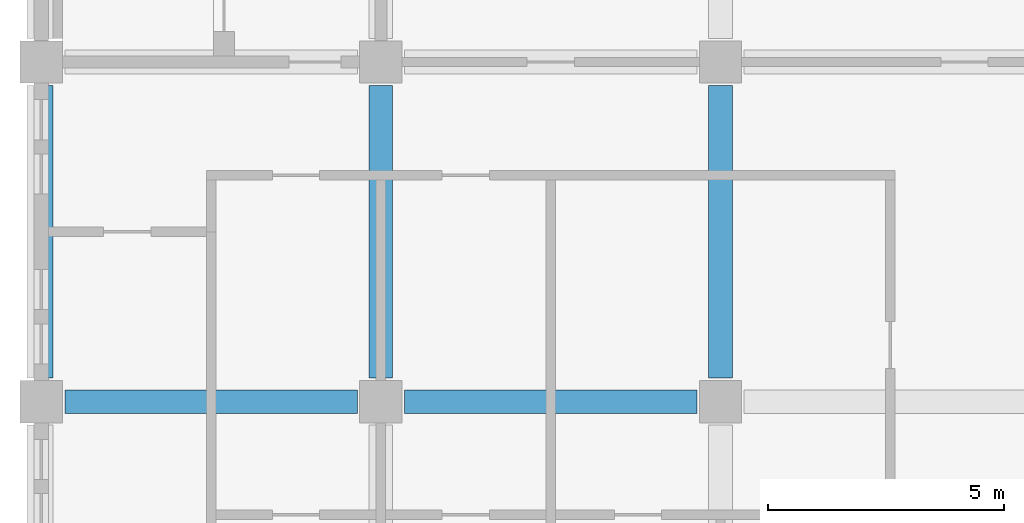
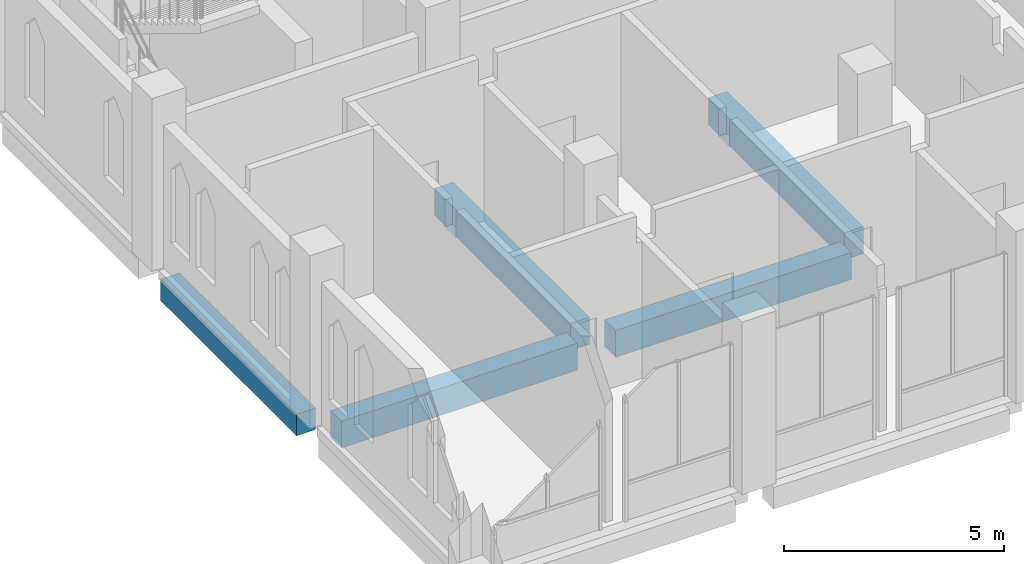
# One storey, part 9 of 40: 5 beams.
"""IFC4 building model written with IfcOpenShell, lengths in metres."""

import ifcopenshell
import ifcopenshell.guid

model = None  # the IFC model being written
_history = None  # IfcOwnerHistory: only IFC2X3 demands one
_inside = {}  # id of a spatial element -> (the spatial element, [elements in it])
_under = {}  # id of a project, library or spatial element -> (it, [spatial elements below it])
_declared = {}  # id of a project -> (the project, [libraries it declares])
_typed = {}  # id of a type object -> (the type object, [elements of that type])
_made_of = {}  # id of a material, layer set ... -> (it, [elements and type objects made of it])


def new_model(schema):
    """Start an empty IFC model of exactly this schema.

    Asked for "IFC4X3", IfcOpenShell would pick the latest addendum, in which some entities
    have other attributes; the version numbers below select the first issue.
    IFC2X3 requires an IfcOwnerHistory on every rooted entity: one is made here for all.
    """
    global model, _history
    if schema == "IFC4X3":
        model = ifcopenshell.file(schema_version=(4, 3, 0, 0))
    else:
        model = ifcopenshell.file(schema=schema)
    _inside.clear()
    _under.clear()
    _declared.clear()
    _typed.clear()
    _made_of.clear()
    _history = None
    if model.schema == "IFC2X3":
        org = make("IfcOrganization", Name="unknown")
        user = make(
            "IfcPersonAndOrganization",
            ThePerson=make("IfcPerson", FamilyName="unknown"),
            TheOrganization=org,
        )
        app = make(
            "IfcApplication",
            ApplicationDeveloper=org,
            Version="unknown",
            ApplicationFullName="unknown",
            ApplicationIdentifier="unknown",
        )
        _history = make(
            "IfcOwnerHistory",
            OwningUser=user,
            OwningApplication=app,
            ChangeAction="ADDED",
            CreationDate=0,
        )
    return model


def make(cls, **values):
    """One entity of the class cls with the attributes given. An attribute that is None is left unset."""
    return model.create_entity(
        cls, **{name: value for name, value in values.items() if value is not None}
    )


def rooted(cls, **values):
    """An entity with a GlobalId (a new one), such as an element, a storey or a relation."""
    return make(cls, GlobalId=ifcopenshell.guid.new(), OwnerHistory=_history, **values)


def si_unit(unit_type, name, prefix=None):
    """IfcSIUnit, for example si_unit("LENGTHUNIT", "METRE", prefix="MILLI")."""
    return make("IfcSIUnit", UnitType=unit_type, Prefix=prefix, Name=name)


def assignment(units):
    """IfcUnitAssignment: the units of a project."""
    return None if units is None else make("IfcUnitAssignment", Units=units)


def point(xyz):
    """IfcCartesianPoint."""
    return None if xyz is None else make("IfcCartesianPoint", Coordinates=xyz)


def direction(xyz):
    """IfcDirection."""
    return None if xyz is None else make("IfcDirection", DirectionRatios=xyz)


def frame(location, z_axis=None, x_axis=None):
    """IfcAxis2Placement3D, a coordinate frame: its origin and axes. An axis left out is left unset."""
    return make(
        "IfcAxis2Placement3D",
        Location=point(location),
        Axis=direction(z_axis),
        RefDirection=direction(x_axis),
    )


def frame_2d(location, x_axis=None):
    """IfcAxis2Placement2D, a coordinate frame in the plane: its origin and x axis."""
    return make(
        "IfcAxis2Placement2D", Location=point(location), RefDirection=direction(x_axis)
    )


def origin():
    """The frame at (0, 0, 0) with its axes left unset."""
    return frame((0.0, 0.0, 0.0))


def origin_2d():
    """The frame at (0, 0) in the plane with its x axis left unset."""
    return frame_2d((0.0, 0.0))


def place(relative_to, where):
    """IfcLocalPlacement: puts the frame where relative to a parent placement (None: the world)."""
    return make(
        "IfcLocalPlacement", PlacementRelTo=relative_to, RelativePlacement=where
    )


def context(
    kind, dimensions, precision=None, world=None, true_north=None, identifier=None
):
    """IfcGeometricRepresentationContext, for example the 3D "Model" context."""
    return make(
        "IfcGeometricRepresentationContext",
        ContextIdentifier=identifier,
        ContextType=kind,
        CoordinateSpaceDimension=dimensions,
        Precision=precision,
        WorldCoordinateSystem=world,
        TrueNorth=true_north,
    )


def subcontext(parent, identifier, kind, view, scale=None):
    """IfcGeometricRepresentationSubContext, for example "Body" below "Model"."""
    return make(
        "IfcGeometricRepresentationSubContext",
        ContextIdentifier=identifier,
        ContextType=kind,
        ParentContext=parent,
        TargetScale=scale,
        TargetView=view,
    )


def project(units=None, contexts=None):
    """IfcProject with its units and contexts."""
    return rooted(
        "IfcProject",
        Name="project",
        RepresentationContexts=contexts,
        UnitsInContext=assignment(units),
    )


def spatial(cls, under=None, at=None, **own):
    """A site, building, storey or space (cls), placed at a placement, below another one or the project."""
    s = rooted(cls, ObjectPlacement=at, **own)
    if under is not None:
        _under.setdefault(under.id(), (under, []))[1].append(s)
    return s


def profile(cls, at=None, kind="AREA", **sizes):
    """A parametric profile (cls). Its sizes go by their IFC names, for example OverallWidth=200.0."""
    return make(cls, ProfileType=kind, Position=at, **sizes)


def rectangle(**sizes):
    """IfcRectangleProfileDef."""
    return profile("IfcRectangleProfileDef", **sizes)


def extrude(swept, where, along, depth):
    """IfcExtrudedAreaSolid: the profile swept, set in the frame where, extruded along a direction by depth."""
    return make(
        "IfcExtrudedAreaSolid",
        SweptArea=swept,
        Position=where,
        ExtrudedDirection=direction(along),
        Depth=depth,
    )


def shape(context_of_items, identifier, shape_type, items):
    """IfcShapeRepresentation: the items that make up one representation, for example the "Body"."""
    return make(
        "IfcShapeRepresentation",
        ContextOfItems=context_of_items,
        RepresentationIdentifier=identifier,
        RepresentationType=shape_type,
        Items=items,
    )


def material(Name=None, Category=None):
    """IfcMaterial."""
    return make("IfcMaterial", Name=Name, Category=Category)


def material_profile(
    of_material, cross_section, Name=None, Category=None, Priority=None
):
    """IfcMaterialProfile: a cross section and its material."""
    return make(
        "IfcMaterialProfile",
        Name=Name,
        Material=of_material,
        Profile=cross_section,
        Priority=Priority,
        Category=Category,
    )


def profile_set(profiles, Name=None, composite=None):
    """IfcMaterialProfileSet."""
    return make(
        "IfcMaterialProfileSet",
        Name=Name,
        MaterialProfiles=profiles,
        CompositeProfile=composite,
    )


def made_of(thing, what):
    """Note that an element or type object is made of a material, layer set ...; save() writes the relation."""
    if what is not None:
        _made_of.setdefault(what.id(), (what, []))[1].append(thing)
    return thing


def type_object(cls, material=None, **own):
    """A type object (cls), such as IfcWallType, which elements share."""
    return made_of(rooted(cls, **own), material)


def element(
    cls,
    number,
    at=None,
    inside=None,
    cuts=None,
    type_object=None,
    material=None,
    context=None,
    identifier="Body",
    shape_type=None,
    held_by="IfcProductDefinitionShape",
    body=None,
    shapes=None,
    **own,
):
    """One element of the class cls, such as IfcWall. Its Tag is "e" and its number.

    at: its placement. inside: the storey or other place that contains it. cuts: it is an
    opening in that element (IfcRelVoidsElement). A single representation is given by context,
    identifier, shape_type and body (its items); several are given by shapes. held_by: the class
    of the entity that holds the representations. save() writes the other relations.
    """
    e = rooted(cls, Tag="e%d" % number, ObjectPlacement=at, **own)
    if body is not None:
        shapes = [shape(context, identifier, shape_type, body)]
    if shapes is not None:
        e.Representation = make(held_by, Representations=shapes)
    if inside is not None:
        _inside.setdefault(inside.id(), (inside, []))[1].append(e)
    if cuts is not None:
        rooted(
            "IfcRelVoidsElement", RelatingBuildingElement=cuts, RelatedOpeningElement=e
        )
    if type_object is not None:
        _typed.setdefault(type_object.id(), (type_object, []))[1].append(e)
    return made_of(e, material)


def aggregate(whole, parts):
    """IfcRelAggregates: a whole, such as a stair, and the parts it consists of."""
    return rooted("IfcRelAggregates", RelatingObject=whole, RelatedObjects=parts)


def save(model, path):
    """Write the relations noted so far, then the file.

    IfcRelAggregates (storeys below a building ...), IfcRelContainedInSpatialStructure (elements
    in a storey), IfcRelDefinesByType, IfcRelAssociatesMaterial and IfcRelDeclares: one each for
    every whole, place, type object, material and project.
    """
    for whole, parts in _under.values():
        aggregate(whole, parts)
    for where, things in _inside.values():
        rooted(
            "IfcRelContainedInSpatialStructure",
            RelatedElements=things,
            RelatingStructure=where,
        )
    for kind, things in _typed.values():
        rooted("IfcRelDefinesByType", RelatedObjects=things, RelatingType=kind)
    for what, things in _made_of.values():
        rooted("IfcRelAssociatesMaterial", RelatedObjects=things, RelatingMaterial=what)
    for by, libraries in _declared.values():
        rooted("IfcRelDeclares", RelatingContext=by, RelatedDefinitions=libraries)
    model.write(path)


model = new_model("IFC4")

# Units and contexts
model_context = context("Model", 3, precision=1e-05, world=origin(), true_north=direction((0.0, 1.0)))
body_context = subcontext(model_context, "Body", "Model", "MODEL_VIEW")
ifc_project = project(units=[si_unit("LENGTHUNIT", "METRE"), si_unit("AREAUNIT", "SQUARE_METRE"), si_unit("VOLUMEUNIT", "CUBIC_METRE"), si_unit("PLANEANGLEUNIT", "RADIAN"), si_unit("MASSUNIT", "GRAM", prefix="KILO")], contexts=[model_context])

# Site, building, storey
site_placement = place(None, origin())
site = spatial("IfcSite", under=ifc_project, at=site_placement, CompositionType="ELEMENT")
building_placement = place(site_placement, origin())
building = spatial("IfcBuilding", under=site, at=building_placement, Name="Silangan Lancet Faculty of Sciences", CompositionType="ELEMENT")
storey_placement = place(building_placement, frame((0.0, 0.0, 16.800048828125)))
storey = spatial("IfcBuildingStorey", under=building, at=storey_placement, Name="L03", CompositionType="ELEMENT", Elevation=16.800048828125)

# Beams
ifc_material_1 = material(Name="Concrete C40/50", Category="concrete")
ifc_material_profile_1 = material_profile(ifc_material_1, rectangle(XDim=0.5, YDim=0.60009765625, at=origin_2d()), Name="RC 500x600")
ifc_profile_set_1 = profile_set([ifc_material_profile_1], Name="Concrete C40/50")
beam_type_1 = type_object("IfcBeamType", Name="BEAM RC 500x600", PredefinedType="BEAM", material=ifc_profile_set_1)
beam_placement = place(storey_placement, frame((0.0, 43.699951171875, -0.550048828125), z_axis=(0.0, 1.0, 0.0), x_axis=(-1.0, 0.0, 0.0)))
element("IfcBeam", 1, at=beam_placement, inside=storey, type_object=beam_type_1, Name="BM-L03-1G-1H", PredefinedType="BEAM", context=body_context, shape_type="SweptSolid", body=[
    extrude(rectangle(XDim=0.5, YDim=0.60009765625, at=origin_2d()), origin(), (0.0, 0.0, 1.0), 6.199951171875),
])
ifc_material_2 = material(Name="Concrete C40/50", Category="concrete")
ifc_material_profile_2 = material_profile(ifc_material_2, rectangle(XDim=0.5, YDim=0.75, at=origin_2d()), Name="RC 500x750")
ifc_profile_set_2 = profile_set([ifc_material_profile_2], Name="Concrete C40/50")
beam_type_2 = type_object("IfcBeamType", Name="BEAM RC 500x750", PredefinedType="BEAM", material=ifc_profile_set_2)
for number, where, z_axis, x_axis, name in (
    (2, (0.5, 43.199951171875, -0.625), (1.0, 0.0, 0.0), (0.0, 1.0, 0.0), "BM-L03-1G-2G"),
    (3, (7.699951171875, 43.199951171875, -0.625), (1.0, 0.0, 0.0), (0.0, 1.0, 0.0), "BM-L03-2G-3G"),
    (4, (7.199951171875, 43.699951171875, -0.625), (0.0, 1.0, 0.0), (-1.0, 0.0, 0.0), "BM-L03-2G-2H"),
    (5, (14.39990234375, 43.699951171875, -0.625), (0.0, 1.0, 0.0), (-1.0, 0.0, 0.0), "BM-L03-3G-3H"),
):
    element("IfcBeam", number, at=place(storey_placement, frame(where, z_axis=z_axis, x_axis=x_axis)), inside=storey, type_object=beam_type_2, Name=name, PredefinedType="BEAM", context=body_context, shape_type="SweptSolid", body=[
        extrude(rectangle(XDim=0.5, YDim=0.75, at=origin_2d()), origin(), (0.0, 0.0, 1.0), 6.199951171875),
    ])

save(model, "model.ifc")
